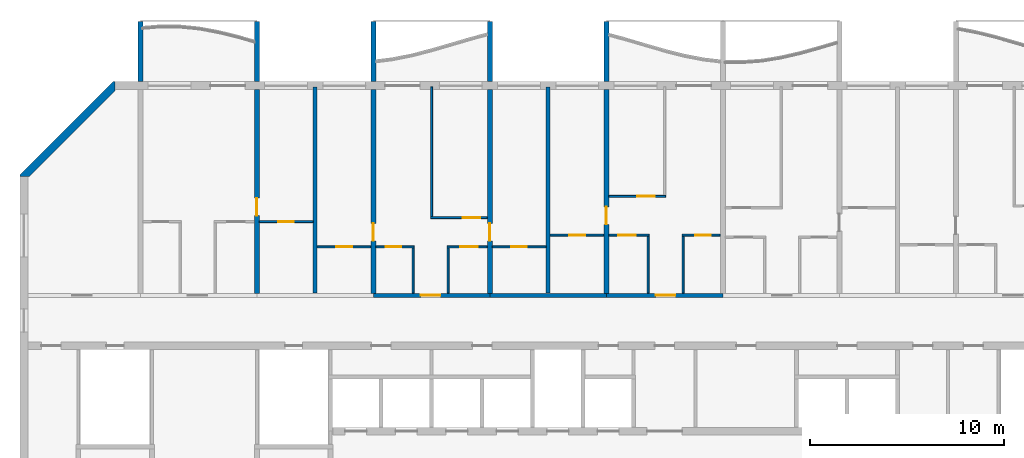
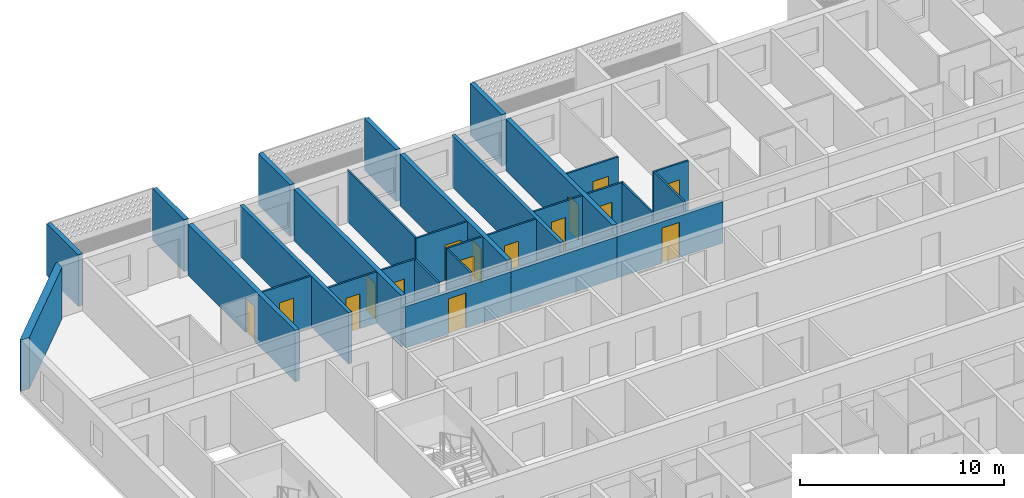
# One storey, part 8 of 26: 30 walls, 16 doors, 16 openings.
"""IFC4 building model written with IfcOpenShell, lengths in metres."""

from ifc_helpers import new_model, si_unit, direction, frame, frame_2d, origin, place, context, subcontext, project, spatial, polyline, rectangle, outline, extrude, source, transform, mapped, material, layer, layer_set, type_object, element, fill, save


model = new_model("IFC4")

# Units and contexts
model_context = context("Model", 3, precision=1e-05, world=origin(), true_north=direction((0.0, 1.0)))
body_context = subcontext(model_context, "Body", "Model", "MODEL_VIEW")
ifc_project = project(units=[si_unit("LENGTHUNIT", "METRE"), si_unit("AREAUNIT", "SQUARE_METRE"), si_unit("VOLUMEUNIT", "CUBIC_METRE"), si_unit("PLANEANGLEUNIT", "RADIAN"), si_unit("MASSUNIT", "GRAM", prefix="KILO")], contexts=[model_context])

# Site, building, storey
site_placement = place(None, origin())
site = spatial("IfcSite", under=ifc_project, at=site_placement, CompositionType="ELEMENT")
building_placement = place(site_placement, origin())
building = spatial("IfcBuilding", under=site, at=building_placement, Name="Poui Terraces", CompositionType="ELEMENT")
storey_placement = place(building_placement, frame((0.0, 0.0, 178.5)))
storey = spatial("IfcBuildingStorey", under=building, at=storey_placement, Name="L49", CompositionType="ELEMENT", Elevation=178.5)

# Wall, opening, door
ifc_material_1 = material(Name="Concrete 50 MPa", Category="concrete")
ifc_layer_1 = layer(ifc_material_1, 0.199951171875)
ifc_layer_set_1 = layer_set([ifc_layer_1], Name="Concrete 50 MPa")
wall_type_1 = type_object("IfcWallType", Name="CORRIDOR WALL 200 50MPa", PredefinedType="SHEAR", material=ifc_layer_set_1)
wall_1_placement = place(storey_placement, frame((36.0, 30.39990234375, 0.0), z_axis=(0.0, 0.0, 1.0), x_axis=(1.0, 0.0, 0.0)))
wall_1 = element("IfcWall", 1, at=wall_1_placement, inside=storey, type_object=wall_type_1, Name="CORRIDOR WALL LINE E BAY 4", PredefinedType="SHEAR", context=body_context, shape_type="SweptSolid", body=[
    extrude(rectangle(XDim=6.0, YDim=0.199951171875, at=frame_2d((3.0, 0.0))), origin(), (0.0, 0.0, 1.0), 2.47998046875),
])
opening_1_placement = place(wall_1_placement, frame((2.449951171875, 0.0, 0.0)))
opening_1 = element("IfcOpeningElement", 2, at=opening_1_placement, cuts=wall_1, Name="Opening FD30S", PredefinedType="OPENING", context=body_context, shape_type="SweptSolid", body=[
    extrude(rectangle(XDim=1.0, YDim=2.10009765625, at=frame_2d((0.5, 1.050048828125))), frame((0.0, 0.10986328125, 0.0), z_axis=(0.0, -1.0, 0.0), x_axis=(1.0, 0.0, 0.0)), (0.0, 0.0, 1.0), 0.219970703125),
])
ifc_material_2 = material(Name="Steel fire door", Category="steel")
door_type_1 = type_object("IfcDoorType", Name="FLAT ENTRANCE DOOR 1000 X 2100", OperationType="NOTDEFINED", PredefinedType="DOOR", material=ifc_material_2)
door_1_placement = place(opening_1_placement, origin())
door_1 = element("IfcDoor", 3, at=door_1_placement, inside=storey, type_object=door_type_1, Name="FLAT ENTRANCE DOOR 035", OperationType="SINGLE_SWING_LEFT", OverallHeight=2.10009765625, OverallWidth=1.0, PredefinedType="DOOR", context=body_context, shape_type="SweptSolid", body=[
    extrude(rectangle(XDim=1.0, YDim=2.10009765625, at=frame_2d((0.5, 1.050048828125))), frame((0.0, 0.02490234375, 0.0), z_axis=(0.0, -1.0, 0.0), x_axis=(1.0, 0.0, 0.0)), (0.0, 0.0, 1.0), 0.050048828125),
])
fill(opening_1, door_1)

# Wall
wall_2_placement = place(storey_placement, frame((42.0, 30.39990234375, 0.0), z_axis=(0.0, 0.0, 1.0), x_axis=(1.0, 0.0, 0.0)))
element("IfcWall", 4, at=wall_2_placement, inside=storey, type_object=wall_type_1, Name="CORRIDOR WALL LINE E BAY 5", PredefinedType="SHEAR", context=body_context, shape_type="SweptSolid", body=[
    extrude(rectangle(XDim=6.0, YDim=0.199951171875, at=frame_2d((3.0, 0.0))), origin(), (0.0, 0.0, 1.0), 2.47998046875),
])

# Wall, opening, door
wall_3_placement = place(storey_placement, frame((48.0, 30.39990234375, 0.0), z_axis=(0.0, 0.0, 1.0), x_axis=(1.0, 0.0, 0.0)))
wall_3 = element("IfcWall", 5, at=wall_3_placement, inside=storey, type_object=wall_type_1, Name="CORRIDOR WALL LINE E BAY 6", PredefinedType="SHEAR", context=body_context, shape_type="SweptSolid", body=[
    extrude(rectangle(XDim=6.0, YDim=0.199951171875, at=frame_2d((3.0, 0.0))), origin(), (0.0, 0.0, 1.0), 2.47998046875),
])
opening_2_placement = place(wall_3_placement, frame((2.550048828125, 0.0, 0.0)))
opening_2 = element("IfcOpeningElement", 6, at=opening_2_placement, cuts=wall_3, Name="Opening FD30S", PredefinedType="OPENING", context=body_context, shape_type="SweptSolid", body=[
    extrude(rectangle(XDim=1.0, YDim=2.10009765625, at=frame_2d((0.5, 1.050048828125))), frame((0.0, 0.10986328125, 0.0), z_axis=(0.0, -1.0, 0.0), x_axis=(1.0, 0.0, 0.0)), (0.0, 0.0, 1.0), 0.219970703125),
])
door_2_placement = place(opening_2_placement, origin())
door_2 = element("IfcDoor", 7, at=door_2_placement, inside=storey, type_object=door_type_1, Name="FLAT ENTRANCE DOOR 043", OperationType="SINGLE_SWING_RIGHT", OverallHeight=2.10009765625, OverallWidth=1.0, PredefinedType="DOOR", context=body_context, shape_type="SweptSolid", body=[
    extrude(rectangle(XDim=1.0, YDim=2.10009765625, at=frame_2d((0.5, 1.050048828125))), frame((0.0, 0.02490234375, 0.0), z_axis=(0.0, -1.0, 0.0), x_axis=(1.0, 0.0, 0.0)), (0.0, 0.0, 1.0), 0.050048828125),
])
fill(opening_2, door_2)

ifc_layer_2 = layer(ifc_material_1, 0.25)
ifc_layer_set_2 = layer_set([ifc_layer_2], Name="Concrete 50 MPa")
wall_type_2 = type_object("IfcWallType", Name="CROSS WALL 250 50MPa", PredefinedType="SHEAR", material=ifc_layer_set_2)
wall_4_placement = place(storey_placement, frame((30.0, 30.5, 0.0), z_axis=(0.0, 0.0, 1.0), x_axis=(0.0, 1.0, 0.0)))
wall_4 = element("IfcWall", 8, at=wall_4_placement, inside=storey, type_object=wall_type_2, Name="CROSS WALL LINE 6 NORTH", PredefinedType="SHEAR", context=body_context, shape_type="SweptSolid", body=[
    extrude(rectangle(XDim=10.5, YDim=0.25, at=frame_2d((5.25, 0.0))), origin(), (0.0, 0.0, 1.0), 3.080078125),
])
opening_3_placement = place(wall_4_placement, frame((4.0, 0.0, 0.0)))
opening_3 = element("IfcOpeningElement", 9, at=opening_3_placement, cuts=wall_4, Name="Opening D90", PredefinedType="OPENING", context=body_context, shape_type="SweptSolid", body=[
    extrude(rectangle(XDim=0.89990234375, YDim=2.10009765625, at=frame_2d((0.449951171875, 1.050048828125))), frame((0.0, 0.135009765625, 0.0), z_axis=(0.0, -1.0, 0.0), x_axis=(1.0, 0.0, 0.0)), (0.0, 0.0, 1.0), 0.27001953125),
])
ifc_material_3 = material(Name="Solid core timber door", Category="wood")
door_type_2 = type_object("IfcDoorType", Name="INTERNAL DOOR 900 X 2100", OperationType="NOTDEFINED", PredefinedType="DOOR", material=ifc_material_3)
door_3_placement = place(opening_3_placement, frame((0.89990234375, 0.0, 0.0), z_axis=(0.0, 0.0, 1.0), x_axis=(-1.0, 0.0, 0.0)))
door_3 = element("IfcDoor", 10, at=door_3_placement, inside=storey, type_object=door_type_2, Name="INTERNAL DOOR 030", OperationType="SINGLE_SWING_RIGHT", OverallHeight=2.10009765625, OverallWidth=0.89990234375, PredefinedType="DOOR", context=body_context, shape_type="SweptSolid", body=[
    extrude(rectangle(XDim=0.89990234375, YDim=2.10009765625, at=frame_2d((0.449951171875, 1.050048828125))), frame((0.0, 0.02490234375, 0.0), z_axis=(0.0, -1.0, 0.0), x_axis=(1.0, 0.0, 0.0)), (0.0, 0.0, 1.0), 0.050048828125),
])
fill(opening_3, door_3)

wall_5_placement = place(storey_placement, frame((36.0, 30.5, 0.0), z_axis=(0.0, 0.0, 1.0), x_axis=(0.0, 1.0, 0.0)))
wall_5 = element("IfcWall", 11, at=wall_5_placement, inside=storey, type_object=wall_type_2, Name="CROSS WALL LINE 7 NORTH", PredefinedType="SHEAR", context=body_context, shape_type="SweptSolid", body=[
    extrude(rectangle(XDim=10.5, YDim=0.25, at=frame_2d((5.25, 0.0))), origin(), (0.0, 0.0, 1.0), 3.080078125),
])
opening_4_placement = place(wall_5_placement, frame((2.699951171875, 0.0, 0.0)))
opening_4 = element("IfcOpeningElement", 12, at=opening_4_placement, cuts=wall_5, Name="Opening D90", PredefinedType="OPENING", context=body_context, shape_type="SweptSolid", body=[
    extrude(rectangle(XDim=0.89990234375, YDim=2.10009765625, at=frame_2d((0.449951171875, 1.050048828125))), frame((0.0, 0.135009765625, 0.0), z_axis=(0.0, -1.0, 0.0), x_axis=(1.0, 0.0, 0.0)), (0.0, 0.0, 1.0), 0.27001953125),
])
door_4_placement = place(opening_4_placement, origin())
door_4 = element("IfcDoor", 13, at=door_4_placement, inside=storey, type_object=door_type_2, Name="INTERNAL DOOR 033", OperationType="SINGLE_SWING_LEFT", OverallHeight=2.10009765625, OverallWidth=0.89990234375, PredefinedType="DOOR", context=body_context, shape_type="SweptSolid", body=[
    extrude(rectangle(XDim=0.89990234375, YDim=2.10009765625, at=frame_2d((0.449951171875, 1.050048828125))), frame((0.0, 0.02490234375, 0.0), z_axis=(0.0, -1.0, 0.0), x_axis=(1.0, 0.0, 0.0)), (0.0, 0.0, 1.0), 0.050048828125),
])
fill(opening_4, door_4)

wall_6_placement = place(storey_placement, frame((42.0, 30.5, 0.0), z_axis=(0.0, 0.0, 1.0), x_axis=(0.0, 1.0, 0.0)))
wall_6 = element("IfcWall", 14, at=wall_6_placement, inside=storey, type_object=wall_type_2, Name="CROSS WALL LINE 8 NORTH", PredefinedType="SHEAR", context=body_context, shape_type="SweptSolid", body=[
    extrude(rectangle(XDim=10.5, YDim=0.25, at=frame_2d((5.25, 0.0))), origin(), (0.0, 0.0, 1.0), 3.080078125),
])
opening_5_placement = place(wall_6_placement, frame((2.699951171875, 0.0, 0.0)))
opening_5 = element("IfcOpeningElement", 15, at=opening_5_placement, cuts=wall_6, Name="Opening D90", PredefinedType="OPENING", context=body_context, shape_type="SweptSolid", body=[
    extrude(rectangle(XDim=0.89990234375, YDim=2.10009765625, at=frame_2d((0.449951171875, 1.050048828125))), frame((0.0, 0.135009765625, 0.0), z_axis=(0.0, -1.0, 0.0), x_axis=(1.0, 0.0, 0.0)), (0.0, 0.0, 1.0), 0.27001953125),
])
door_5_placement = place(opening_5_placement, frame((0.89990234375, 0.0, 0.0), z_axis=(0.0, 0.0, 1.0), x_axis=(-1.0, 0.0, 0.0)))
door_5 = element("IfcDoor", 16, at=door_5_placement, inside=storey, type_object=door_type_2, Name="INTERNAL DOOR 038", OperationType="SINGLE_SWING_RIGHT", OverallHeight=2.10009765625, OverallWidth=0.89990234375, PredefinedType="DOOR", context=body_context, shape_type="SweptSolid", body=[
    extrude(rectangle(XDim=0.89990234375, YDim=2.10009765625, at=frame_2d((0.449951171875, 1.050048828125))), frame((0.0, 0.02490234375, 0.0), z_axis=(0.0, -1.0, 0.0), x_axis=(1.0, 0.0, 0.0)), (0.0, 0.0, 1.0), 0.050048828125),
])
fill(opening_5, door_5)

wall_7_placement = place(storey_placement, frame((48.0, 30.5, 0.0), z_axis=(0.0, 0.0, 1.0), x_axis=(0.0, 1.0, 0.0)))
wall_7 = element("IfcWall", 17, at=wall_7_placement, inside=storey, type_object=wall_type_2, Name="CROSS WALL LINE 9 NORTH", PredefinedType="SHEAR", context=body_context, shape_type="SweptSolid", body=[
    extrude(rectangle(XDim=10.5, YDim=0.25, at=frame_2d((5.25, 0.0))), origin(), (0.0, 0.0, 1.0), 3.080078125),
])
opening_6_placement = place(wall_7_placement, frame((3.550048828125, 0.0, 0.0)))
opening_6 = element("IfcOpeningElement", 18, at=opening_6_placement, cuts=wall_7, Name="Opening D90", PredefinedType="OPENING", context=body_context, shape_type="SweptSolid", body=[
    extrude(rectangle(XDim=0.89990234375, YDim=2.10009765625, at=frame_2d((0.449951171875, 1.050048828125))), frame((0.0, 0.135009765625, 0.0), z_axis=(0.0, -1.0, 0.0), x_axis=(1.0, 0.0, 0.0)), (0.0, 0.0, 1.0), 0.27001953125),
])
door_6_placement = place(opening_6_placement, origin())
door_6 = element("IfcDoor", 19, at=door_6_placement, inside=storey, type_object=door_type_2, Name="INTERNAL DOOR 040", OperationType="SINGLE_SWING_LEFT", OverallHeight=2.10009765625, OverallWidth=0.89990234375, PredefinedType="DOOR", context=body_context, shape_type="SweptSolid", body=[
    extrude(rectangle(XDim=0.89990234375, YDim=2.10009765625, at=frame_2d((0.449951171875, 1.050048828125))), frame((0.0, 0.02490234375, 0.0), z_axis=(0.0, -1.0, 0.0), x_axis=(1.0, 0.0, 0.0)), (0.0, 0.0, 1.0), 0.050048828125),
])
fill(opening_6, door_6)

ifc_material_4 = material(Name="Plasterboard partition")
ifc_layer_3 = layer(ifc_material_4, 0.10009765625)
ifc_layer_set_3 = layer_set([ifc_layer_3], Name="Plasterboard partition")
wall_type_3 = type_object("IfcWallType", Name="FLAT PARTITION 100", PredefinedType="PARTITIONING", material=ifc_layer_set_3)
wall_8_placement = place(storey_placement, frame((33.10009765625, 32.89990234375, 0.0), z_axis=(0.0, 0.0, 1.0), x_axis=(1.0, 0.0, 0.0)))
wall_8 = element("IfcWall", 20, at=wall_8_placement, inside=storey, type_object=wall_type_3, Name="FLAT PARTITION 100", PredefinedType="PARTITIONING", context=body_context, shape_type="SweptSolid", body=[
    extrude(rectangle(XDim=2.764892578125, YDim=0.10009765625, at=frame_2d((1.38232421875, 0.0))), origin(), (0.0, 0.0, 1.0), 3.080078125),
])
opening_7_placement = place(wall_8_placement, frame((1.0, 0.0, 0.0)))
opening_7 = element("IfcOpeningElement", 21, at=opening_7_placement, cuts=wall_8, Name="Opening D80", PredefinedType="OPENING", context=body_context, shape_type="SweptSolid", body=[
    extrude(rectangle(XDim=0.800048828125, YDim=2.10009765625, at=frame_2d((0.39990234375, 1.050048828125))), frame((0.0, 0.06005859375, 0.0), z_axis=(0.0, -1.0, 0.0), x_axis=(1.0, 0.0, 0.0)), (0.0, 0.0, 1.0), 0.1201171875),
])
door_type_3 = type_object("IfcDoorType", Name="BATHROOM, LAUNDRY AND STORE DOOR 800 X 2100", OperationType="NOTDEFINED", PredefinedType="DOOR", material=ifc_material_3)
door_7_placement = place(opening_7_placement, frame((0.800048828125, 0.0, 0.0), z_axis=(0.0, 0.0, 1.0), x_axis=(-1.0, 0.0, 0.0)))
door_7 = element("IfcDoor", 22, at=door_7_placement, inside=storey, type_object=door_type_3, Name="BATHROOM, LAUNDRY AND STORE DOOR 031", OperationType="SINGLE_SWING_RIGHT", OverallHeight=2.10009765625, OverallWidth=0.800048828125, PredefinedType="DOOR", context=body_context, shape_type="SweptSolid", body=[
    extrude(rectangle(XDim=0.800048828125, YDim=2.10009765625, at=frame_2d((0.39990234375, 1.050048828125))), frame((0.0, 0.02490234375, 0.0), z_axis=(0.0, -1.0, 0.0), x_axis=(1.0, 0.0, 0.0)), (0.0, 0.0, 1.0), 0.050048828125),
])
fill(opening_7, door_7)

wall_9_placement = place(storey_placement, frame((36.135009765625, 32.89990234375, 0.0), z_axis=(0.0, 0.0, 1.0), x_axis=(1.0, 0.0, 0.0)))
wall_9 = element("IfcWall", 23, at=wall_9_placement, inside=storey, type_object=wall_type_3, Name="FLAT PARTITION 100", PredefinedType="PARTITIONING", context=body_context, shape_type="SweptSolid", body=[
    extrude(rectangle(XDim=1.965087890625, YDim=0.10009765625, at=frame_2d((0.982421875, 0.0))), origin(), (0.0, 0.0, 1.0), 3.080078125),
])
opening_8_placement = place(wall_9_placement, frame((0.489990234375, 0.0, 0.0)))
opening_8 = element("IfcOpeningElement", 24, at=opening_8_placement, cuts=wall_9, Name="Opening D80", PredefinedType="OPENING", context=body_context, shape_type="SweptSolid", body=[
    extrude(rectangle(XDim=0.800048828125, YDim=2.10009765625, at=frame_2d((0.39990234375, 1.050048828125))), frame((0.0, 0.06005859375, 0.0), z_axis=(0.0, -1.0, 0.0), x_axis=(1.0, 0.0, 0.0)), (0.0, 0.0, 1.0), 0.1201171875),
])
door_8_placement = place(opening_8_placement, frame((0.800048828125, 0.0, 0.0), z_axis=(0.0, 0.0, 1.0), x_axis=(-1.0, 0.0, 0.0)))
door_8 = element("IfcDoor", 25, at=door_8_placement, inside=storey, type_object=door_type_3, Name="BATHROOM, LAUNDRY AND STORE DOOR 034", OperationType="SINGLE_SWING_RIGHT", OverallHeight=2.10009765625, OverallWidth=0.800048828125, PredefinedType="DOOR", context=body_context, shape_type="SweptSolid", body=[
    extrude(rectangle(XDim=0.800048828125, YDim=2.10009765625, at=frame_2d((0.39990234375, 1.050048828125))), frame((0.0, 0.02490234375, 0.0), z_axis=(0.0, -1.0, 0.0), x_axis=(1.0, 0.0, 0.0)), (0.0, 0.0, 1.0), 0.050048828125),
])
fill(opening_8, door_8)

wall_10_placement = place(storey_placement, frame((39.800048828125, 32.89990234375, 0.0), z_axis=(0.0, 0.0, 1.0), x_axis=(1.0, 0.0, 0.0)))
wall_10 = element("IfcWall", 26, at=wall_10_placement, inside=storey, type_object=wall_type_3, Name="FLAT PARTITION 100", PredefinedType="PARTITIONING", context=body_context, shape_type="SweptSolid", body=[
    extrude(rectangle(XDim=2.06494140625, YDim=0.10009765625, at=frame_2d((1.032470703125, 0.0))), origin(), (0.0, 0.0, 1.0), 3.080078125),
])
opening_9_placement = place(wall_10_placement, frame((0.675048828125, 0.0, 0.0)))
opening_9 = element("IfcOpeningElement", 27, at=opening_9_placement, cuts=wall_10, Name="Opening D90", PredefinedType="OPENING", context=body_context, shape_type="SweptSolid", body=[
    extrude(rectangle(XDim=0.89990234375, YDim=2.10009765625, at=frame_2d((0.449951171875, 1.050048828125))), frame((0.0, 0.06005859375, 0.0), z_axis=(0.0, -1.0, 0.0), x_axis=(1.0, 0.0, 0.0)), (0.0, 0.0, 1.0), 0.1201171875),
])
door_9_placement = place(opening_9_placement, frame((0.89990234375, 0.0, 0.0), z_axis=(0.0, 0.0, 1.0), x_axis=(-1.0, 0.0, 0.0)))
door_9 = element("IfcDoor", 28, at=door_9_placement, inside=storey, type_object=door_type_2, Name="INTERNAL DOOR 036", OperationType="SINGLE_SWING_LEFT", OverallHeight=2.10009765625, OverallWidth=0.89990234375, PredefinedType="DOOR", context=body_context, shape_type="SweptSolid", body=[
    extrude(rectangle(XDim=0.89990234375, YDim=2.10009765625, at=frame_2d((0.449951171875, 1.050048828125))), frame((0.0, 0.02490234375, 0.0), z_axis=(0.0, -1.0, 0.0), x_axis=(1.0, 0.0, 0.0)), (0.0, 0.0, 1.0), 0.050048828125),
])
fill(opening_9, door_9)

wall_11_placement = place(storey_placement, frame((42.135009765625, 32.89990234375, 0.0), z_axis=(0.0, 0.0, 1.0), x_axis=(1.0, 0.0, 0.0)))
wall_11 = element("IfcWall", 29, at=wall_11_placement, inside=storey, type_object=wall_type_3, Name="FLAT PARTITION 100", PredefinedType="PARTITIONING", context=body_context, shape_type="SweptSolid", body=[
    extrude(rectangle(XDim=2.764892578125, YDim=0.10009765625, at=frame_2d((1.38232421875, 0.0))), origin(), (0.0, 0.0, 1.0), 3.080078125),
])
opening_10_placement = place(wall_11_placement, frame((0.965087890625, 0.0, 0.0)))
opening_10 = element("IfcOpeningElement", 30, at=opening_10_placement, cuts=wall_11, Name="Opening D80", PredefinedType="OPENING", context=body_context, shape_type="SweptSolid", body=[
    extrude(rectangle(XDim=0.800048828125, YDim=2.10009765625, at=frame_2d((0.39990234375, 1.050048828125))), frame((0.0, 0.06005859375, 0.0), z_axis=(0.0, -1.0, 0.0), x_axis=(1.0, 0.0, 0.0)), (0.0, 0.0, 1.0), 0.1201171875),
])
door_10_placement = place(opening_10_placement, frame((0.800048828125, 0.0, 0.0), z_axis=(0.0, 0.0, 1.0), x_axis=(-1.0, 0.0, 0.0)))
door_10 = element("IfcDoor", 31, at=door_10_placement, inside=storey, type_object=door_type_3, Name="BATHROOM, LAUNDRY AND STORE DOOR 032", OperationType="SINGLE_SWING_RIGHT", OverallHeight=2.10009765625, OverallWidth=0.800048828125, PredefinedType="DOOR", context=body_context, shape_type="SweptSolid", body=[
    extrude(rectangle(XDim=0.800048828125, YDim=2.10009765625, at=frame_2d((0.39990234375, 1.050048828125))), frame((0.0, 0.02490234375, 0.0), z_axis=(0.0, -1.0, 0.0), x_axis=(1.0, 0.0, 0.0)), (0.0, 0.0, 1.0), 0.050048828125),
])
fill(opening_10, door_10)

wall_12_placement = place(storey_placement, frame((45.10009765625, 33.5, 0.0), z_axis=(0.0, 0.0, 1.0), x_axis=(1.0, 0.0, 0.0)))
wall_12 = element("IfcWall", 32, at=wall_12_placement, inside=storey, type_object=wall_type_3, Name="FLAT PARTITION 100", PredefinedType="PARTITIONING", context=body_context, shape_type="SweptSolid", body=[
    extrude(rectangle(XDim=2.764892578125, YDim=0.10009765625, at=frame_2d((1.38232421875, 0.0))), origin(), (0.0, 0.0, 1.0), 3.080078125),
])
opening_11_placement = place(wall_12_placement, frame((1.0, 0.0, 0.0)))
opening_11 = element("IfcOpeningElement", 33, at=opening_11_placement, cuts=wall_12, Name="Opening D80", PredefinedType="OPENING", context=body_context, shape_type="SweptSolid", body=[
    extrude(rectangle(XDim=0.800048828125, YDim=2.10009765625, at=frame_2d((0.39990234375, 1.050048828125))), frame((0.0, 0.06005859375, 0.0), z_axis=(0.0, -1.0, 0.0), x_axis=(1.0, 0.0, 0.0)), (0.0, 0.0, 1.0), 0.1201171875),
])
door_11_placement = place(opening_11_placement, frame((0.800048828125, 0.0, 0.0), z_axis=(0.0, 0.0, 1.0), x_axis=(-1.0, 0.0, 0.0)))
door_11 = element("IfcDoor", 34, at=door_11_placement, inside=storey, type_object=door_type_3, Name="BATHROOM, LAUNDRY AND STORE DOOR 039", OperationType="SINGLE_SWING_LEFT", OverallHeight=2.10009765625, OverallWidth=0.800048828125, PredefinedType="DOOR", context=body_context, shape_type="SweptSolid", body=[
    extrude(rectangle(XDim=0.800048828125, YDim=2.10009765625, at=frame_2d((0.39990234375, 1.050048828125))), frame((0.0, 0.02490234375, 0.0), z_axis=(0.0, -1.0, 0.0), x_axis=(1.0, 0.0, 0.0)), (0.0, 0.0, 1.0), 0.050048828125),
])
fill(opening_11, door_11)

wall_13_placement = place(storey_placement, frame((48.135009765625, 33.5, 0.0), z_axis=(0.0, 0.0, 1.0), x_axis=(1.0, 0.0, 0.0)))
wall_13 = element("IfcWall", 35, at=wall_13_placement, inside=storey, type_object=wall_type_3, Name="FLAT PARTITION 100", PredefinedType="PARTITIONING", context=body_context, shape_type="SweptSolid", body=[
    extrude(rectangle(XDim=2.06494140625, YDim=0.10009765625, at=frame_2d((1.032470703125, 0.0))), origin(), (0.0, 0.0, 1.0), 3.080078125),
])
opening_12_placement = place(wall_13_placement, frame((0.489990234375, 0.0, 0.0)))
opening_12 = element("IfcOpeningElement", 36, at=opening_12_placement, cuts=wall_13, Name="Opening D90", PredefinedType="OPENING", context=body_context, shape_type="SweptSolid", body=[
    extrude(rectangle(XDim=0.89990234375, YDim=2.10009765625, at=frame_2d((0.449951171875, 1.050048828125))), frame((0.0, 0.06005859375, 0.0), z_axis=(0.0, -1.0, 0.0), x_axis=(1.0, 0.0, 0.0)), (0.0, 0.0, 1.0), 0.1201171875),
])
door_12_placement = place(opening_12_placement, frame((0.89990234375, 0.0, 0.0), z_axis=(0.0, 0.0, 1.0), x_axis=(-1.0, 0.0, 0.0)))
door_12 = element("IfcDoor", 37, at=door_12_placement, inside=storey, type_object=door_type_2, Name="INTERNAL DOOR 041", OperationType="SINGLE_SWING_LEFT", OverallHeight=2.10009765625, OverallWidth=0.89990234375, PredefinedType="DOOR", context=body_context, shape_type="SweptSolid", body=[
    extrude(rectangle(XDim=0.89990234375, YDim=2.10009765625, at=frame_2d((0.449951171875, 1.050048828125))), frame((0.0, 0.02490234375, 0.0), z_axis=(0.0, -1.0, 0.0), x_axis=(1.0, 0.0, 0.0)), (0.0, 0.0, 1.0), 0.050048828125),
])
fill(opening_12, door_12)

wall_14_placement = place(storey_placement, frame((51.89990234375, 33.5, 0.0), z_axis=(0.0, 0.0, 1.0), x_axis=(1.0, 0.0, 0.0)))
wall_14 = element("IfcWall", 38, at=wall_14_placement, inside=storey, type_object=wall_type_3, Name="FLAT PARTITION 100", PredefinedType="PARTITIONING", context=body_context, shape_type="SweptSolid", body=[
    extrude(rectangle(XDim=1.965087890625, YDim=0.10009765625, at=frame_2d((0.982421875, 0.0))), origin(), (0.0, 0.0, 1.0), 3.080078125),
])
opening_13_placement = place(wall_14_placement, frame((0.675048828125, 0.0, 0.0)))
opening_13 = element("IfcOpeningElement", 39, at=opening_13_placement, cuts=wall_14, Name="Opening D80", PredefinedType="OPENING", context=body_context, shape_type="SweptSolid", body=[
    extrude(rectangle(XDim=0.800048828125, YDim=2.10009765625, at=frame_2d((0.39990234375, 1.050048828125))), frame((0.0, 0.06005859375, 0.0), z_axis=(0.0, -1.0, 0.0), x_axis=(1.0, 0.0, 0.0)), (0.0, 0.0, 1.0), 0.1201171875),
])
door_13_placement = place(opening_13_placement, frame((0.800048828125, 0.0, 0.0), z_axis=(0.0, 0.0, 1.0), x_axis=(-1.0, 0.0, 0.0)))
door_13 = element("IfcDoor", 40, at=door_13_placement, inside=storey, type_object=door_type_3, Name="BATHROOM, LAUNDRY AND STORE DOOR 044", OperationType="SINGLE_SWING_RIGHT", OverallHeight=2.10009765625, OverallWidth=0.800048828125, PredefinedType="DOOR", context=body_context, shape_type="SweptSolid", body=[
    extrude(rectangle(XDim=0.800048828125, YDim=2.10009765625, at=frame_2d((0.39990234375, 1.050048828125))), frame((0.0, 0.02490234375, 0.0), z_axis=(0.0, -1.0, 0.0), x_axis=(1.0, 0.0, 0.0)), (0.0, 0.0, 1.0), 0.050048828125),
])
fill(opening_13, door_13)

wall_15_placement = place(storey_placement, frame((30.135009765625, 34.199951171875, 0.0), z_axis=(0.0, 0.0, 1.0), x_axis=(1.0, 0.0, 0.0)))
wall_15 = element("IfcWall", 41, at=wall_15_placement, inside=storey, type_object=wall_type_3, Name="FLAT PARTITION 100", PredefinedType="PARTITIONING", context=body_context, shape_type="SweptSolid", body=[
    extrude(rectangle(XDim=2.764892578125, YDim=0.10009765625, at=frame_2d((1.38232421875, 0.0))), origin(), (0.0, 0.0, 1.0), 3.080078125),
])
opening_14_placement = place(wall_15_placement, frame((0.965087890625, 0.0, 0.0)))
opening_14 = element("IfcOpeningElement", 42, at=opening_14_placement, cuts=wall_15, Name="Opening D80", PredefinedType="OPENING", context=body_context, shape_type="SweptSolid", body=[
    extrude(rectangle(XDim=0.800048828125, YDim=2.10009765625, at=frame_2d((0.39990234375, 1.050048828125))), frame((0.0, 0.06005859375, 0.0), z_axis=(0.0, -1.0, 0.0), x_axis=(1.0, 0.0, 0.0)), (0.0, 0.0, 1.0), 0.1201171875),
])
door_14_placement = place(opening_14_placement, frame((0.800048828125, 0.0, 0.0), z_axis=(0.0, 0.0, 1.0), x_axis=(-1.0, 0.0, 0.0)))
door_14 = element("IfcDoor", 43, at=door_14_placement, inside=storey, type_object=door_type_3, Name="BATHROOM, LAUNDRY AND STORE DOOR 026", OperationType="SINGLE_SWING_LEFT", OverallHeight=2.10009765625, OverallWidth=0.800048828125, PredefinedType="DOOR", context=body_context, shape_type="SweptSolid", body=[
    extrude(rectangle(XDim=0.800048828125, YDim=2.10009765625, at=frame_2d((0.39990234375, 1.050048828125))), frame((0.0, 0.02490234375, 0.0), z_axis=(0.0, -1.0, 0.0), x_axis=(1.0, 0.0, 0.0)), (0.0, 0.0, 1.0), 0.050048828125),
])
fill(opening_14, door_14)

wall_16_placement = place(storey_placement, frame((38.949951171875, 34.39990234375, 0.0), z_axis=(0.0, 0.0, 1.0), x_axis=(1.0, 0.0, 0.0)))
wall_16 = element("IfcWall", 44, at=wall_16_placement, inside=storey, type_object=wall_type_3, Name="FLAT PARTITION 100", PredefinedType="PARTITIONING", context=body_context, shape_type="SweptSolid", body=[
    extrude(rectangle(XDim=2.9150390625, YDim=0.10009765625, at=frame_2d((1.45751953125, 0.0))), origin(), (0.0, 0.0, 1.0), 3.080078125),
])
opening_15_placement = place(wall_16_placement, frame((1.64990234375, 0.0, 0.0)))
opening_15 = element("IfcOpeningElement", 45, at=opening_15_placement, cuts=wall_16, Name="Opening D90", PredefinedType="OPENING", context=body_context, shape_type="SweptSolid", body=[
    extrude(rectangle(XDim=0.89990234375, YDim=2.10009765625, at=frame_2d((0.449951171875, 1.050048828125))), frame((0.0, 0.06005859375, 0.0), z_axis=(0.0, -1.0, 0.0), x_axis=(1.0, 0.0, 0.0)), (0.0, 0.0, 1.0), 0.1201171875),
])
door_15_placement = place(opening_15_placement, frame((0.89990234375, 0.0, 0.0), z_axis=(0.0, 0.0, 1.0), x_axis=(-1.0, 0.0, 0.0)))
door_15 = element("IfcDoor", 46, at=door_15_placement, inside=storey, type_object=door_type_2, Name="INTERNAL DOOR 037", OperationType="SINGLE_SWING_RIGHT", OverallHeight=2.10009765625, OverallWidth=0.89990234375, PredefinedType="DOOR", context=body_context, shape_type="SweptSolid", body=[
    extrude(rectangle(XDim=0.89990234375, YDim=2.10009765625, at=frame_2d((0.449951171875, 1.050048828125))), frame((0.0, 0.02490234375, 0.0), z_axis=(0.0, -1.0, 0.0), x_axis=(1.0, 0.0, 0.0)), (0.0, 0.0, 1.0), 0.050048828125),
])
fill(opening_15, door_15)

wall_17_placement = place(storey_placement, frame((48.135009765625, 35.5, 0.0), z_axis=(0.0, 0.0, 1.0), x_axis=(1.0, 0.0, 0.0)))
wall_17 = element("IfcWall", 47, at=wall_17_placement, inside=storey, type_object=wall_type_3, Name="FLAT PARTITION 100", PredefinedType="PARTITIONING", context=body_context, shape_type="SweptSolid", body=[
    extrude(rectangle(XDim=2.9150390625, YDim=0.10009765625, at=frame_2d((1.45751953125, 0.0))), origin(), (0.0, 0.0, 1.0), 3.080078125),
])
opening_16_placement = place(wall_17_placement, frame((1.465087890625, 0.0, 0.0)))
opening_16 = element("IfcOpeningElement", 48, at=opening_16_placement, cuts=wall_17, Name="Opening D90", PredefinedType="OPENING", context=body_context, shape_type="SweptSolid", body=[
    extrude(rectangle(XDim=0.89990234375, YDim=2.10009765625, at=frame_2d((0.449951171875, 1.050048828125))), frame((0.0, 0.06005859375, 0.0), z_axis=(0.0, -1.0, 0.0), x_axis=(1.0, 0.0, 0.0)), (0.0, 0.0, 1.0), 0.1201171875),
])
door_16_placement = place(opening_16_placement, frame((0.89990234375, 0.0, 0.0), z_axis=(0.0, 0.0, 1.0), x_axis=(-1.0, 0.0, 0.0)))
door_16 = element("IfcDoor", 49, at=door_16_placement, inside=storey, type_object=door_type_2, Name="INTERNAL DOOR 042", OperationType="SINGLE_SWING_RIGHT", OverallHeight=2.10009765625, OverallWidth=0.89990234375, PredefinedType="DOOR", context=body_context, shape_type="SweptSolid", body=[
    extrude(rectangle(XDim=0.89990234375, YDim=2.10009765625, at=frame_2d((0.449951171875, 1.050048828125))), frame((0.0, 0.02490234375, 0.0), z_axis=(0.0, -1.0, 0.0), x_axis=(1.0, 0.0, 0.0)), (0.0, 0.0, 1.0), 0.050048828125),
])
fill(opening_16, door_16)

# Walls
wall_18_placement = place(storey_placement, frame((38.050048828125, 30.510009765625, 0.0), z_axis=(0.0, 0.0, 1.0), x_axis=(0.0, 1.0, 0.0)))
element("IfcWall", 50, at=wall_18_placement, inside=storey, type_object=wall_type_3, Name="FLAT PARTITION 100", PredefinedType="PARTITIONING", context=body_context, shape_type="SweptSolid", body=[
    extrude(rectangle(XDim=2.340087890625, YDim=0.10009765625, at=frame_2d((1.169921875, 0.0))), origin(), (0.0, 0.0, 1.0), 3.080078125),
])
wall_19_placement = place(storey_placement, frame((39.0, 34.449951171875, 0.0), z_axis=(0.0, 0.0, 1.0), x_axis=(0.0, 1.0, 0.0)))
element("IfcWall", 51, at=wall_19_placement, inside=storey, type_object=wall_type_3, Name="FLAT PARTITION 100", PredefinedType="PARTITIONING", context=body_context, shape_type="SweptSolid", body=[
    extrude(rectangle(XDim=6.68994140625, YDim=0.10009765625, at=frame_2d((3.344970703125, 0.0))), origin(), (0.0, 0.0, 1.0), 3.080078125),
])
wall_20_placement = place(storey_placement, frame((39.85009765625, 30.510009765625, 0.0), z_axis=(0.0, 0.0, 1.0), x_axis=(0.0, 1.0, 0.0)))
element("IfcWall", 52, at=wall_20_placement, inside=storey, type_object=wall_type_3, Name="FLAT PARTITION 100", PredefinedType="PARTITIONING", context=body_context, shape_type="SweptSolid", body=[
    extrude(rectangle(XDim=2.340087890625, YDim=0.10009765625, at=frame_2d((1.169921875, 0.0))), origin(), (0.0, 0.0, 1.0), 3.080078125),
])
for number, where, z_axis, x_axis, name in (
    (53, (50.14990234375, 30.510009765625, 0.0), (0.0, 0.0, 1.0), (0.0, 1.0, 0.0), "FLAT PARTITION 100"),
    (54, (51.949951171875, 30.510009765625, 0.0), (0.0, 0.0, 1.0), (0.0, 1.0, 0.0), "FLAT PARTITION 100"),
):
    element("IfcWall", number, at=place(storey_placement, frame(where, z_axis=z_axis, x_axis=x_axis)), inside=storey, type_object=wall_type_3, Name=name, PredefinedType="PARTITIONING", context=body_context, shape_type="SweptSolid", body=[
        extrude(rectangle(XDim=2.93994140625, YDim=0.10009765625, at=frame_2d((1.469970703125, 0.0))), origin(), (0.0, 0.0, 1.0), 3.080078125),
    ])
ifc_material_5 = material(Name="Fire-rated masonry wall", Category="masonry")
ifc_layer_4 = layer(ifc_material_5, 0.199951171875)
ifc_layer_set_4 = layer_set([ifc_layer_4], Name="Fire-rated masonry wall")
wall_type_4 = type_object("IfcWallType", Name="FLAT PARTY WALL 200", PredefinedType="PARTITIONING", material=ifc_layer_set_4)
for number, where, z_axis, x_axis, name in (
    (55, (33.0, 30.510009765625, 0.0), (0.0, 0.0, 1.0), (0.0, 1.0, 0.0), "FLAT PARTY WALL 200"),
    (56, (45.0, 30.510009765625, 0.0), (0.0, 0.0, 1.0), (0.0, 1.0, 0.0), "FLAT PARTY WALL 200"),
):
    element("IfcWall", number, at=place(storey_placement, frame(where, z_axis=z_axis, x_axis=x_axis)), inside=storey, type_object=wall_type_4, Name=name, PredefinedType="PARTITIONING", context=body_context, shape_type="SweptSolid", body=[
        extrude(rectangle(XDim=10.6298828125, YDim=0.199951171875, at=frame_2d((5.31494140625, 0.0))), origin(), (0.0, 0.0, 1.0), 3.080078125),
    ])
ifc_material_6 = material(Name="Precast concrete 40 MPa", Category="concrete")
ifc_layer_5 = layer(ifc_material_6, 0.39990234375)
ifc_layer_set_5 = layer_set([ifc_layer_5], Name="Precast concrete 40 MPa")
wall_type_5 = type_object("IfcWallType", Name="TERRACOTTA CLAD CHAMFER WALL 400", PredefinedType="STANDARD", material=ifc_layer_set_5)
wall_21_placement = place(storey_placement, origin())
element("IfcWall", 57, at=wall_21_placement, inside=storey, type_object=wall_type_5, Name="CHAMFER WALL CH05", PredefinedType="STANDARD", context=body_context, shape_type="SweptSolid", body=[
    extrude(outline(polyline([(22.682861328125, 41.39990234375), (22.60009765625, 41.39990234375), (17.800048828125, 36.60009765625), (17.800048828125, 36.51708984375), (18.28271484375, 36.51708984375), (22.682861328125, 40.917236328125), (22.682861328125, 41.39990234375)])), origin(), (0.0, 0.0, 1.0), 3.080078125),
])
ifc_layer_6 = layer(ifc_material_6, 0.25)
ifc_layer_set_6 = layer_set([ifc_layer_6], Name="Precast concrete 40 MPa")
wall_type_6 = type_object("IfcWallType", Name="BALCONY FIN 250", PredefinedType="STANDARD", material=ifc_layer_set_6)
shared_shape = source(origin(), body_context, "Body", "SweptSolid", [
    extrude(outline(polyline([(0.0, 0.0), (0.25, 0.0), (0.25, 3.10009765625), (0.0, 3.10009765625), (0.0, 0.0)])), origin(), (0.0, 0.0, 1.0), 3.10009765625),
])
for number, where, name in (
    (58, (23.875, 41.39990234375, 0.0), "BALCONY FIN"),
    (59, (29.875, 41.39990234375, 0.0), "BALCONY FIN"),
    (60, (35.875, 41.39990234375, 0.0), "BALCONY FIN"),
    (61, (41.875, 41.39990234375, 0.0), "BALCONY FIN"),
    (62, (47.875, 41.39990234375, 0.0), "BALCONY FIN"),
):
    element("IfcWall", number, at=place(storey_placement, frame(where)), inside=storey, type_object=wall_type_6, Name=name, PredefinedType="STANDARD", context=body_context, shape_type="MappedRepresentation", body=[
        mapped(shared_shape, transform((0.0, 0.0, 0.0))),
    ])

save(model, "model.ifc")
